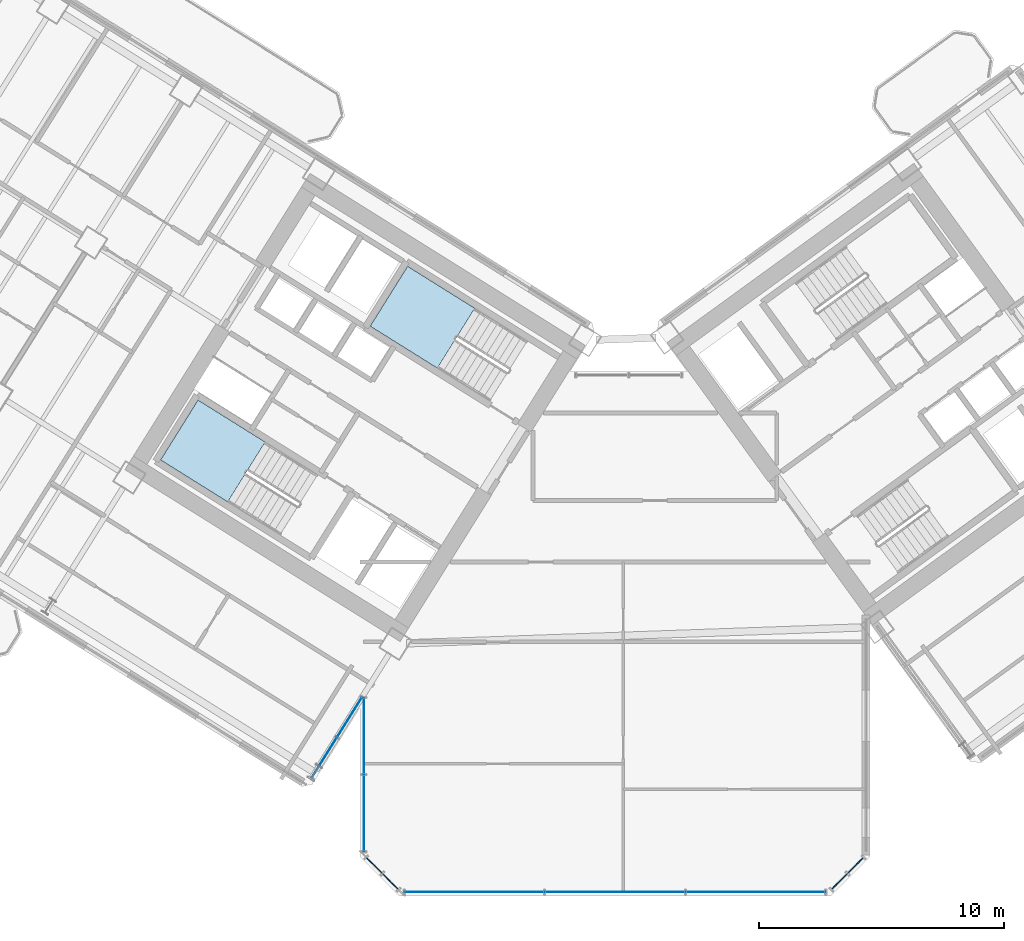
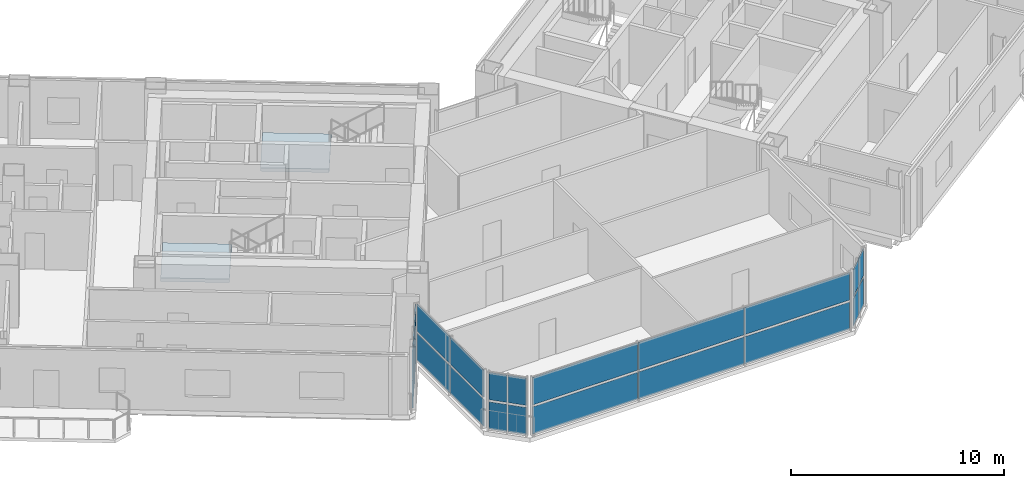
# One storey, part 13 of 28: 22 plates, 2 slabs, 7 elements without a shape of their own.
"""IFC4 building model written with IfcOpenShell, lengths in metres."""

from ifc_helpers import new_model, si_unit, direction, frame, origin, origin_2d, place, context, subcontext, project, spatial, polyline, rectangle, outline, extrude, source, transform, mapped, material, layer, layer_set, type_object, element, aggregate, save


model = new_model("IFC4")

# Units and contexts
model_context = context("Model", 3, precision=1e-05, world=origin(), true_north=direction((0.0, 1.0)))
body_context = subcontext(model_context, "Body", "Model", "MODEL_VIEW")
ifc_project = project(units=[si_unit("LENGTHUNIT", "METRE"), si_unit("AREAUNIT", "SQUARE_METRE"), si_unit("VOLUMEUNIT", "CUBIC_METRE"), si_unit("PLANEANGLEUNIT", "RADIAN"), si_unit("MASSUNIT", "GRAM", prefix="KILO")], contexts=[model_context])

# Site, building, storey
site_placement = place(None, origin())
site = spatial("IfcSite", under=ifc_project, at=site_placement, CompositionType="ELEMENT")
building_placement = place(site_placement, origin())
building = spatial("IfcBuilding", under=site, at=building_placement, Name="Tlacorven Tower", CompositionType="ELEMENT")
storey_placement = place(building_placement, frame((0.0, 0.0, 63.60009765625)))
storey = spatial("IfcBuildingStorey", under=building, at=storey_placement, Name="L16", CompositionType="ELEMENT", Elevation=63.60009765625)

# Stair, slab
ifc_material_1 = material(Name="Concrete C40/50", Category="concrete")
stair_type = type_object("IfcStairType", Name="ST-CORE-DLG", PredefinedType="HALF_TURN_STAIR", material=ifc_material_1)
stair_1_placement = place(storey_placement, origin())
stair_1 = element("IfcStair", 1, at=stair_1_placement, inside=storey, type_object=stair_type, Name="L16 Protected Exit Stair West 1", PredefinedType="HALF_TURN_STAIR")
ifc_layer_1 = layer(ifc_material_1, 0.199951171875)
ifc_layer_set_1 = layer_set([ifc_layer_1], Name="Concrete C40/50")
slab_type = type_object("IfcSlabType", Name="SL-LND-200", PredefinedType="LANDING", material=ifc_layer_set_1)
slab_1_placement = place(storey_placement, frame((0.0, 0.0, 1.599853515625)))
slab_1 = element("IfcSlab", 2, at=slab_1_placement, type_object=slab_type, Name="ST-W1 landing 1", PredefinedType="LANDING", context=body_context, shape_type="SweptSolid", body=[
    extrude(outline(polyline([(27.728515625, 20.315185546875), (24.9892578125, 22.02685546875), (23.463134765625, 19.58447265625), (26.2021484375, 17.872802734375), (27.728515625, 20.315185546875)])), origin(), (0.0, 0.0, 1.0), 0.199951171875),
])
aggregate(stair_1, [slab_1])

stair_2_placement = place(storey_placement, origin())
stair_2 = element("IfcStair", 3, at=stair_2_placement, inside=storey, type_object=stair_type, Name="L16 Protected Exit Stair West 2", PredefinedType="HALF_TURN_STAIR")
slab_2_placement = place(storey_placement, frame((0.0, 0.0, 1.599853515625)))
slab_2 = element("IfcSlab", 4, at=slab_2_placement, type_object=slab_type, Name="ST-W2 landing 1", PredefinedType="LANDING", context=body_context, shape_type="SweptSolid", body=[
    extrude(outline(polyline([(36.280029296875, 25.772705078125), (33.540771484375, 27.484375), (32.0146484375, 25.0419921875), (34.75390625, 23.33056640625), (36.280029296875, 25.772705078125)])), origin(), (0.0, 0.0, 1.0), 0.199951171875),
])
aggregate(stair_2, [slab_2])

# Curtain wall, plates
ifc_material_2 = material(Name="Dark solar low-E double glazing in aluminium frame", Category="aluminium")
curtain_wall_type = type_object("IfcCurtainWallType", Name="CW-TWR-LOW", PredefinedType="USERDEFINED", material=ifc_material_2)
curtain_wall_1_placement = place(storey_placement, origin())
curtain_wall_1 = element("IfcCurtainWall", 5, at=curtain_wall_1_placement, inside=storey, type_object=curtain_wall_type, Name="L16 CW-TWR-LOW Curtain Wall 87", ObjectType="UNITISED CURTAIN WALL", PredefinedType="USERDEFINED")
ifc_material_3 = material(Name="Dark solar double low-E glazing", Category="glass")
ifc_layer_2 = layer(ifc_material_3, 0.031982421875)
ifc_layer_set_2 = layer_set([ifc_layer_2], Name="Dark solar double low-E glazing")
plate_type = type_object("IfcPlateType", Name="CWP-02", PredefinedType="CURTAIN_PANEL", material=ifc_layer_set_2)
shared_shape_1 = source(origin(), body_context, "Body", "SweptSolid", [
    extrude(rectangle(XDim=0.878173828125, YDim=0.031982421875, at=origin_2d()), origin(), (0.0, 0.0, 1.0), 1.552978515625),
])
plate_1_placement = place(storey_placement, frame((51.815673828125, 3.0419921875, 0.06103515625), z_axis=(0.0, 0.0, 1.0), x_axis=(-0.707106781187, -0.707106781187, 0.0)))
plate_1 = element("IfcPlate", 6, at=plate_1_placement, type_object=plate_type, Name="CW-L16-087 Glazing Panel 1", PredefinedType="CURTAIN_PANEL", context=body_context, shape_type="MappedRepresentation", body=[
    mapped(shared_shape_1, transform((0.0, 0.0, 0.0), scale=1.0)),
])
plate_2_placement = place(storey_placement, frame((51.815673828125, 3.0419921875, 1.73583984375), z_axis=(0.0, 0.0, 1.0), x_axis=(-0.707106781187, -0.707106781187, 0.0)))
plate_2 = element("IfcPlate", 7, at=plate_2_placement, type_object=plate_type, Name="CW-L16-087 Glazing Panel 2", PredefinedType="CURTAIN_PANEL", context=body_context, shape_type="MappedRepresentation", body=[
    mapped(shared_shape_1, transform((0.0, 0.0, 0.0), scale=1.0)),
])
plate_3_placement = place(storey_placement, frame((51.157958984375, 2.38427734375, 0.06103515625), z_axis=(0.0, 0.0, 1.0), x_axis=(-0.707106781187, -0.707106781187, 0.0)))
plate_3 = element("IfcPlate", 8, at=plate_3_placement, type_object=plate_type, Name="CW-L16-087 Glazing Panel 3", PredefinedType="CURTAIN_PANEL", context=body_context, shape_type="MappedRepresentation", body=[
    mapped(shared_shape_1, transform((0.0, 0.0, 0.0), scale=1.0)),
])
plate_4_placement = place(storey_placement, frame((51.157958984375, 2.38427734375, 1.73583984375), z_axis=(0.0, 0.0, 1.0), x_axis=(-0.707106781187, -0.707106781187, 0.0)))
plate_4 = element("IfcPlate", 9, at=plate_4_placement, type_object=plate_type, Name="CW-L16-087 Glazing Panel 4", PredefinedType="CURTAIN_PANEL", context=body_context, shape_type="MappedRepresentation", body=[
    mapped(shared_shape_1, transform((0.0, 0.0, 0.0), scale=1.0)),
])
aggregate(curtain_wall_1, [plate_1, plate_2, plate_3, plate_4])

curtain_wall_2_placement = place(storey_placement, origin())
curtain_wall_2 = element("IfcCurtainWall", 10, at=curtain_wall_2_placement, inside=storey, type_object=curtain_wall_type, Name="L16 CW-TWR-LOW Curtain Wall 89", ObjectType="UNITISED CURTAIN WALL", PredefinedType="USERDEFINED")
plate_5_placement = place(storey_placement, frame((32.842041015625, 2.38427734375, 0.06103515625), z_axis=(0.0, 0.0, 1.0), x_axis=(-0.707106781187, 0.707106781187, 0.0)))
plate_5 = element("IfcPlate", 11, at=plate_5_placement, type_object=plate_type, Name="CW-L16-089 Glazing Panel 1", PredefinedType="CURTAIN_PANEL", context=body_context, shape_type="MappedRepresentation", body=[
    mapped(shared_shape_1, transform((0.0, 0.0, 0.0), scale=1.0)),
])
plate_6_placement = place(storey_placement, frame((32.842041015625, 2.38427734375, 1.73583984375), z_axis=(0.0, 0.0, 1.0), x_axis=(-0.707106781187, 0.707106781187, 0.0)))
plate_6 = element("IfcPlate", 12, at=plate_6_placement, type_object=plate_type, Name="CW-L16-089 Glazing Panel 2", PredefinedType="CURTAIN_PANEL", context=body_context, shape_type="MappedRepresentation", body=[
    mapped(shared_shape_1, transform((0.0, 0.0, 0.0), scale=1.0)),
])
plate_7_placement = place(storey_placement, frame((32.184326171875, 3.0419921875, 0.06103515625), z_axis=(0.0, 0.0, 1.0), x_axis=(-0.707106781187, 0.707106781187, 0.0)))
plate_7 = element("IfcPlate", 13, at=plate_7_placement, type_object=plate_type, Name="CW-L16-089 Glazing Panel 3", PredefinedType="CURTAIN_PANEL", context=body_context, shape_type="MappedRepresentation", body=[
    mapped(shared_shape_1, transform((0.0, 0.0, 0.0), scale=1.0)),
])
plate_8_placement = place(storey_placement, frame((32.184326171875, 3.0419921875, 1.73583984375), z_axis=(0.0, 0.0, 1.0), x_axis=(-0.707106781187, 0.707106781187, 0.0)))
plate_8 = element("IfcPlate", 14, at=plate_8_placement, type_object=plate_type, Name="CW-L16-089 Glazing Panel 4", PredefinedType="CURTAIN_PANEL", context=body_context, shape_type="MappedRepresentation", body=[
    mapped(shared_shape_1, transform((0.0, 0.0, 0.0), scale=1.0)),
])
aggregate(curtain_wall_2, [plate_5, plate_6, plate_7, plate_8])

curtain_wall_3_placement = place(storey_placement, origin())
curtain_wall_3 = element("IfcCurtainWall", 15, at=curtain_wall_3_placement, inside=storey, type_object=curtain_wall_type, Name="L16 CW-TWR-LOW Curtain Wall 88", ObjectType="UNITISED CURTAIN WALL", PredefinedType="USERDEFINED")
shared_shape_2 = source(origin(), body_context, "Body", "SweptSolid", [
    extrude(rectangle(XDim=5.668701171875, YDim=0.031982421875, at=origin_2d()), origin(), (0.0, 0.0, 1.0), 1.552978515625),
])
plate_9_placement = place(storey_placement, frame((47.73828125, 1.9599609375, 0.06103515625), z_axis=(0.0, 0.0, 1.0), x_axis=(-1.0, 0.0, 0.0)))
plate_9 = element("IfcPlate", 16, at=plate_9_placement, type_object=plate_type, Name="CW-L16-088 Glazing Panel 1", PredefinedType="CURTAIN_PANEL", context=body_context, shape_type="MappedRepresentation", body=[
    mapped(shared_shape_2, transform((0.0, 0.0, 0.0), scale=1.0)),
])
plate_10_placement = place(storey_placement, frame((47.73828125, 1.9599609375, 1.73583984375), z_axis=(0.0, 0.0, 1.0), x_axis=(-1.0, 0.0, 0.0)))
plate_10 = element("IfcPlate", 17, at=plate_10_placement, type_object=plate_type, Name="CW-L16-088 Glazing Panel 2", PredefinedType="CURTAIN_PANEL", context=body_context, shape_type="MappedRepresentation", body=[
    mapped(shared_shape_2, transform((0.0, 0.0, 0.0), scale=1.0)),
])
plate_11_placement = place(storey_placement, frame((36.26171875, 1.9599609375, 0.06103515625), z_axis=(0.0, 0.0, 1.0), x_axis=(-1.0, 0.0, 0.0)))
plate_11 = element("IfcPlate", 18, at=plate_11_placement, type_object=plate_type, Name="CW-L16-088 Glazing Panel 5", PredefinedType="CURTAIN_PANEL", context=body_context, shape_type="MappedRepresentation", body=[
    mapped(shared_shape_2, transform((0.0, 0.0, 0.0), scale=1.0)),
])
plate_12_placement = place(storey_placement, frame((36.26171875, 1.9599609375, 1.73583984375), z_axis=(0.0, 0.0, 1.0), x_axis=(-1.0, 0.0, 0.0)))
plate_12 = element("IfcPlate", 19, at=plate_12_placement, type_object=plate_type, Name="CW-L16-088 Glazing Panel 6", PredefinedType="CURTAIN_PANEL", context=body_context, shape_type="MappedRepresentation", body=[
    mapped(shared_shape_2, transform((0.0, 0.0, 0.0), scale=1.0)),
])
shared_shape_3 = source(origin(), body_context, "Body", "SweptSolid", [
    extrude(rectangle(XDim=5.703857421875, YDim=0.031982421875, at=origin_2d()), origin(), (0.0, 0.0, 1.0), 1.552978515625),
])
plate_13_placement = place(storey_placement, frame((42.0, 1.9599609375, 0.06103515625), z_axis=(0.0, 0.0, 1.0), x_axis=(-1.0, 0.0, 0.0)))
plate_13 = element("IfcPlate", 20, at=plate_13_placement, type_object=plate_type, Name="CW-L16-088 Glazing Panel 3", PredefinedType="CURTAIN_PANEL", context=body_context, shape_type="MappedRepresentation", body=[
    mapped(shared_shape_3, transform((0.0, 0.0, 0.0), scale=1.0)),
])
plate_14_placement = place(storey_placement, frame((42.0, 1.9599609375, 1.73583984375), z_axis=(0.0, 0.0, 1.0), x_axis=(-1.0, 0.0, 0.0)))
plate_14 = element("IfcPlate", 21, at=plate_14_placement, type_object=plate_type, Name="CW-L16-088 Glazing Panel 4", PredefinedType="CURTAIN_PANEL", context=body_context, shape_type="MappedRepresentation", body=[
    mapped(shared_shape_3, transform((0.0, 0.0, 0.0), scale=1.0)),
])
aggregate(curtain_wall_3, [plate_9, plate_10, plate_13, plate_14, plate_11, plate_12])

curtain_wall_4_placement = place(storey_placement, origin())
curtain_wall_4 = element("IfcCurtainWall", 22, at=curtain_wall_4_placement, inside=storey, type_object=curtain_wall_type, Name="L16 CW-TWR-LOW Curtain Wall 90", ObjectType="UNITISED CURTAIN WALL", PredefinedType="USERDEFINED")
shared_shape_4 = source(origin(), body_context, "Body", "SweptSolid", [
    extrude(rectangle(XDim=3.09423828125, YDim=0.031982421875, at=origin_2d()), origin(), (0.0, 0.0, 1.0), 1.552978515625),
])
plate_15_placement = place(storey_placement, frame((31.760009765625, 5.17431640625, 0.06103515625), z_axis=(0.0, 0.0, 1.0), x_axis=(0.0, 1.0, 0.0)))
plate_15 = element("IfcPlate", 23, at=plate_15_placement, type_object=plate_type, Name="CW-L16-090 Glazing Panel 1", PredefinedType="CURTAIN_PANEL", context=body_context, shape_type="MappedRepresentation", body=[
    mapped(shared_shape_4, transform((0.0, 0.0, 0.0), scale=1.0)),
])
plate_16_placement = place(storey_placement, frame((31.760009765625, 5.17431640625, 1.73583984375), z_axis=(0.0, 0.0, 1.0), x_axis=(0.0, 1.0, 0.0)))
plate_16 = element("IfcPlate", 24, at=plate_16_placement, type_object=plate_type, Name="CW-L16-090 Glazing Panel 2", PredefinedType="CURTAIN_PANEL", context=body_context, shape_type="MappedRepresentation", body=[
    mapped(shared_shape_4, transform((0.0, 0.0, 0.0), scale=1.0)),
])
plate_17_placement = place(storey_placement, frame((31.760009765625, 8.320556640625, 0.06103515625), z_axis=(0.0, 0.0, 1.0), x_axis=(0.0, 1.0, 0.0)))
plate_17 = element("IfcPlate", 25, at=plate_17_placement, type_object=plate_type, Name="CW-L16-090 Glazing Panel 3", PredefinedType="CURTAIN_PANEL", context=body_context, shape_type="MappedRepresentation", body=[
    mapped(shared_shape_4, transform((0.0, 0.0, 0.0), scale=1.0)),
])
plate_18_placement = place(storey_placement, frame((31.760009765625, 8.320556640625, 1.73583984375), z_axis=(0.0, 0.0, 1.0), x_axis=(0.0, 1.0, 0.0)))
plate_18 = element("IfcPlate", 26, at=plate_18_placement, type_object=plate_type, Name="CW-L16-090 Glazing Panel 4", PredefinedType="CURTAIN_PANEL", context=body_context, shape_type="MappedRepresentation", body=[
    mapped(shared_shape_4, transform((0.0, 0.0, 0.0), scale=1.0)),
])
aggregate(curtain_wall_4, [plate_15, plate_16, plate_17, plate_18])

curtain_wall_5_placement = place(storey_placement, origin())
curtain_wall_5 = element("IfcCurtainWall", 27, at=curtain_wall_5_placement, inside=storey, type_object=curtain_wall_type, Name="L16 CW-TWR-LOW Curtain Wall 91", ObjectType="UNITISED CURTAIN WALL", PredefinedType="USERDEFINED")
shared_shape_5 = source(origin(), body_context, "Body", "SweptSolid", [
    extrude(rectangle(XDim=1.896240234375, YDim=0.031982421875, at=origin_2d()), origin(), (0.0, 0.0, 1.0), 1.552978515625),
])
plate_19_placement = place(storey_placement, frame((31.172119140625, 9.087890625, 0.06103515625), z_axis=(0.0, 0.0, 1.0), x_axis=(-0.529918710919, -0.848048441905, 0.0)))
plate_19 = element("IfcPlate", 28, at=plate_19_placement, type_object=plate_type, Name="CW-L16-091 Glazing Panel 1", PredefinedType="CURTAIN_PANEL", context=body_context, shape_type="MappedRepresentation", body=[
    mapped(shared_shape_5, transform((0.0, 0.0, 0.0), scale=1.0)),
])
plate_20_placement = place(storey_placement, frame((31.172119140625, 9.087890625, 1.73583984375), z_axis=(0.0, 0.0, 1.0), x_axis=(-0.529918710919, -0.848048441905, 0.0)))
plate_20 = element("IfcPlate", 29, at=plate_20_placement, type_object=plate_type, Name="CW-L16-091 Glazing Panel 2", PredefinedType="CURTAIN_PANEL", context=body_context, shape_type="MappedRepresentation", body=[
    mapped(shared_shape_5, transform((0.0, 0.0, 0.0), scale=1.0)),
])
plate_21_placement = place(storey_placement, frame((30.1396484375, 7.435791015625, 0.06103515625), z_axis=(0.0, 0.0, 1.0), x_axis=(-0.529918710919, -0.848048441905, 0.0)))
plate_21 = element("IfcPlate", 30, at=plate_21_placement, type_object=plate_type, Name="CW-L16-091 Glazing Panel 3", PredefinedType="CURTAIN_PANEL", context=body_context, shape_type="MappedRepresentation", body=[
    mapped(shared_shape_5, transform((0.0, 0.0, 0.0), scale=1.0)),
])
plate_22_placement = place(storey_placement, frame((30.1396484375, 7.435791015625, 1.73583984375), z_axis=(0.0, 0.0, 1.0), x_axis=(-0.529918710919, -0.848048441905, 0.0)))
plate_22 = element("IfcPlate", 31, at=plate_22_placement, type_object=plate_type, Name="CW-L16-091 Glazing Panel 4", PredefinedType="CURTAIN_PANEL", context=body_context, shape_type="MappedRepresentation", body=[
    mapped(shared_shape_5, transform((0.0, 0.0, 0.0), scale=1.0)),
])
aggregate(curtain_wall_5, [plate_19, plate_20, plate_21, plate_22])

save(model, "model.ifc")
